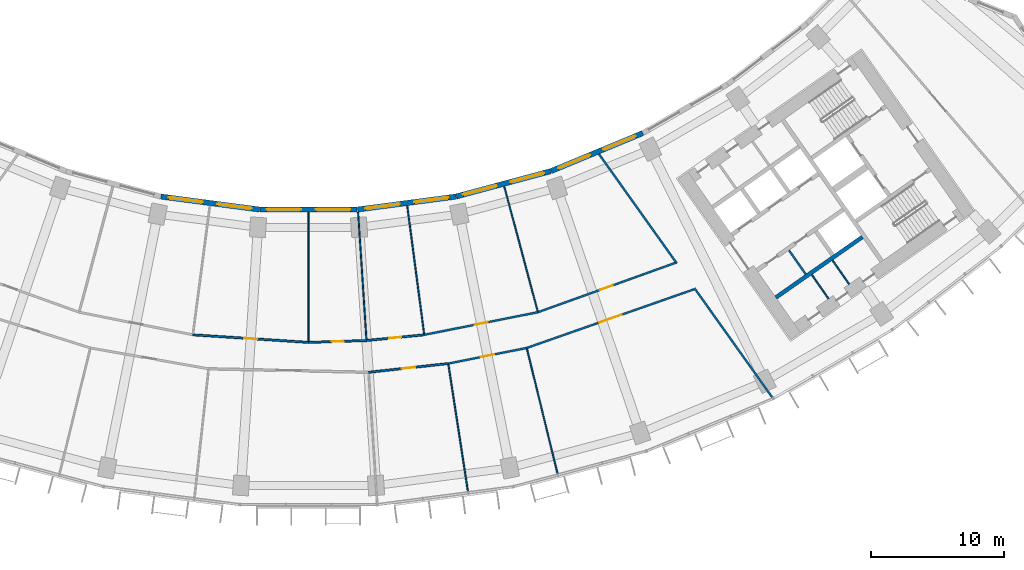
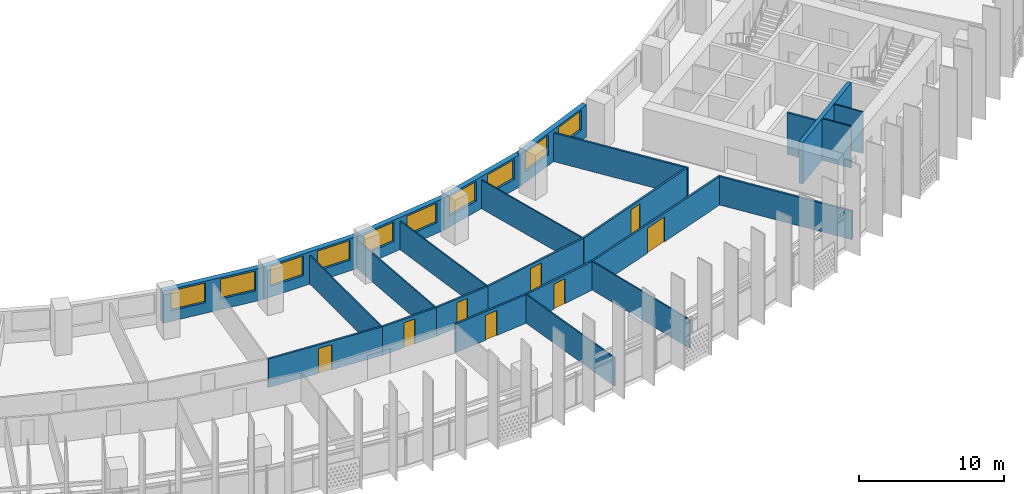
# One storey, part 6 of 30: 25 walls, 10 windows, 8 doors, 18 openings.
"""IFC4 building model written with IfcOpenShell, lengths in metres."""

from ifc_helpers import new_model, si_unit, direction, frame, frame_2d, origin, place, context, subcontext, project, spatial, rectangle, extrude, material, layer, layer_set, type_object, element, fill, save


model = new_model("IFC4")

# Units and contexts
model_context = context("Model", 3, precision=1e-05, world=origin(), true_north=direction((0.0, 1.0)))
body_context = subcontext(model_context, "Body", "Model", "MODEL_VIEW")
ifc_project = project(units=[si_unit("LENGTHUNIT", "METRE"), si_unit("AREAUNIT", "SQUARE_METRE"), si_unit("VOLUMEUNIT", "CUBIC_METRE"), si_unit("PLANEANGLEUNIT", "RADIAN"), si_unit("MASSUNIT", "GRAM", prefix="KILO")], contexts=[model_context])

# Site, building, storey
site_placement = place(None, origin())
site = spatial("IfcSite", under=ifc_project, at=site_placement, CompositionType="ELEMENT")
building_placement = place(site_placement, origin())
building = spatial("IfcBuilding", under=site, at=building_placement, Name="Qamariyya Broadcast Tower", CompositionType="ELEMENT")
storey_placement = place(building_placement, frame((0.0, 0.0, 117.699951171875)))
storey = spatial("IfcBuildingStorey", under=building, at=storey_placement, Name="L26", CompositionType="ELEMENT", Elevation=117.699951171875)

# Wall, opening, door
ifc_material_1 = material(Name="Gypsum board partition")
ifc_layer_1 = layer(ifc_material_1, 0.14990234375)
ifc_layer_set_1 = layer_set([ifc_layer_1], Name="Corridor partition 150 EI 60")
wall_type_1 = type_object("IfcWallType", Name="Corridor partition 150 EI 60", PredefinedType="PARTITIONING", material=ifc_layer_set_1)
wall_1_placement = place(storey_placement, frame((-8.71923828125, -66.228515625, 0.0), z_axis=(0.0, 0.0, 1.0), x_axis=(0.997858593599, -0.065408158359, 0.0)))
wall_1 = element("IfcWall", 1, at=wall_1_placement, inside=storey, type_object=wall_type_1, Name="Partition L26-020", PredefinedType="PARTITIONING", context=body_context, shape_type="SweptSolid", body=[
    extrude(rectangle(XDim=8.738037109375, YDim=0.14990234375, at=frame_2d((4.369140625, 0.0))), origin(), (0.0, 0.0, 1.0), 2.400146484375),
])
opening_1_placement = place(wall_1_placement, frame((3.868896484375, 0.0, 0.0)))
opening_1 = element("IfcOpeningElement", 2, at=opening_1_placement, cuts=wall_1, Name="Opening L26-D11", PredefinedType="OPENING", context=body_context, shape_type="SweptSolid", body=[
    extrude(rectangle(XDim=1.0, YDim=2.10009765625, at=frame_2d((0.5, 1.050048828125))), frame((0.0, 0.0849609375, 0.0), z_axis=(0.0, -1.0, 0.0), x_axis=(1.0, 0.0, 0.0)), (0.0, 0.0, 1.0), 0.169921875),
])
ifc_material_2 = material(Name="Timber fire door leaf", Category="wood")
door_type_1 = type_object("IfcDoorType", Name="Fire door 1000 x 2100 FD60", OperationType="NOTDEFINED", PredefinedType="DOOR", material=ifc_material_2)
door_1_placement = place(opening_1_placement, origin())
door_1 = element("IfcDoor", 3, at=door_1_placement, inside=storey, type_object=door_type_1, Name="Door L26-D11", OperationType="SINGLE_SWING_RIGHT", OverallHeight=2.10009765625, OverallWidth=1.0, PredefinedType="DOOR", context=body_context, shape_type="SweptSolid", body=[
    extrude(rectangle(XDim=1.0, YDim=2.10009765625, at=frame_2d((0.5, 1.050048828125))), frame((0.0, 0.02490234375, 0.0), z_axis=(0.0, -1.0, 0.0), x_axis=(1.0, 0.0, 0.0)), (0.0, 0.0, 1.0), 0.050048828125),
])
fill(opening_1, door_1)

wall_2_placement = place(storey_placement, frame((0.0, -66.800048828125, 0.0), z_axis=(0.0, 0.0, 1.0), x_axis=(0.99946426167, 0.03272903366, 0.0)))
wall_2 = element("IfcWall", 4, at=wall_2_placement, inside=storey, type_object=wall_type_1, Name="Partition L26-024", PredefinedType="PARTITIONING", context=body_context, shape_type="SweptSolid", body=[
    extrude(rectangle(XDim=4.371337890625, YDim=0.14990234375, at=frame_2d((2.185546875, 0.0))), origin(), (0.0, 0.0, 1.0), 2.400146484375),
])
opening_2_placement = place(wall_2_placement, frame((1.735595703125, 0.0, 0.0)))
opening_2 = element("IfcOpeningElement", 5, at=opening_2_placement, cuts=wall_2, Name="Opening L26-D12", PredefinedType="OPENING", context=body_context, shape_type="SweptSolid", body=[
    extrude(rectangle(XDim=0.89990234375, YDim=2.10009765625, at=frame_2d((0.449951171875, 1.050048828125))), frame((0.0, 0.0849609375, 0.0), z_axis=(0.0, -1.0, 0.0), x_axis=(1.0, 0.0, 0.0)), (0.0, 0.0, 1.0), 0.169921875),
])
door_type_2 = type_object("IfcDoorType", Name="Fire door 900 x 2100 FD60", OperationType="NOTDEFINED", PredefinedType="DOOR", material=ifc_material_2)
door_2_placement = place(opening_2_placement, origin())
door_2 = element("IfcDoor", 6, at=door_2_placement, inside=storey, type_object=door_type_2, Name="Door L26-D12", OperationType="SINGLE_SWING_RIGHT", OverallHeight=2.10009765625, OverallWidth=0.89990234375, PredefinedType="DOOR", context=body_context, shape_type="SweptSolid", body=[
    extrude(rectangle(XDim=0.89990234375, YDim=2.10009765625, at=frame_2d((0.449951171875, 1.050048828125))), frame((0.0, 0.02490234375, 0.0), z_axis=(0.0, -1.0, 0.0), x_axis=(1.0, 0.0, 0.0)), (0.0, 0.0, 1.0), 0.050048828125),
])
fill(opening_2, door_2)

wall_3_placement = place(storey_placement, frame((4.368896484375, -66.656982421875, 0.0), z_axis=(0.0, 0.0, 1.0), x_axis=(0.995184826457, 0.098016127192, 0.0)))
wall_3 = element("IfcWall", 7, at=wall_3_placement, inside=storey, type_object=wall_type_1, Name="Partition L26-027", PredefinedType="PARTITIONING", context=body_context, shape_type="SweptSolid", body=[
    extrude(rectangle(XDim=4.371337890625, YDim=0.14990234375, at=frame_2d((2.185546875, 0.0))), origin(), (0.0, 0.0, 1.0), 2.400146484375),
])
opening_3_placement = place(wall_3_placement, frame((1.735595703125, 0.0, 0.0)))
opening_3 = element("IfcOpeningElement", 8, at=opening_3_placement, cuts=wall_3, Name="Opening L26-D13", PredefinedType="OPENING", context=body_context, shape_type="SweptSolid", body=[
    extrude(rectangle(XDim=0.89990234375, YDim=2.10009765625, at=frame_2d((0.449951171875, 1.050048828125))), frame((0.0, 0.0849609375, 0.0), z_axis=(0.0, -1.0, 0.0), x_axis=(1.0, 0.0, 0.0)), (0.0, 0.0, 1.0), 0.169921875),
])
door_3_placement = place(opening_3_placement, origin())
door_3 = element("IfcDoor", 9, at=door_3_placement, inside=storey, type_object=door_type_2, Name="Door L26-D13", OperationType="SINGLE_SWING_RIGHT", OverallHeight=2.10009765625, OverallWidth=0.89990234375, PredefinedType="DOOR", context=body_context, shape_type="SweptSolid", body=[
    extrude(rectangle(XDim=0.89990234375, YDim=2.10009765625, at=frame_2d((0.449951171875, 1.050048828125))), frame((0.0, 0.02490234375, 0.0), z_axis=(0.0, -1.0, 0.0), x_axis=(1.0, 0.0, 0.0)), (0.0, 0.0, 1.0), 0.050048828125),
])
fill(opening_3, door_3)

wall_4_placement = place(storey_placement, frame((10.52880859375, -68.394287109375, 0.0), z_axis=(0.0, 0.0, 1.0), x_axis=(-0.994055567966, -0.108873907782, 0.0)))
wall_4 = element("IfcWall", 10, at=wall_4_placement, inside=storey, type_object=wall_type_1, Name="Partition L26-028", PredefinedType="PARTITIONING", context=body_context, shape_type="SweptSolid", body=[
    extrude(rectangle(XDim=6.038818359375, YDim=0.14990234375, at=frame_2d((3.01953125, 0.0))), origin(), (0.0, 0.0, 1.0), 2.400146484375),
])
opening_4_placement = place(wall_4_placement, frame((2.51953125, 0.0, 0.0)))
opening_4 = element("IfcOpeningElement", 11, at=opening_4_placement, cuts=wall_4, Name="Opening L26-D06", PredefinedType="OPENING", context=body_context, shape_type="SweptSolid", body=[
    extrude(rectangle(XDim=1.0, YDim=2.10009765625, at=frame_2d((0.5, 1.050048828125))), frame((0.0, 0.0849609375, 0.0), z_axis=(0.0, -1.0, 0.0), x_axis=(1.0, 0.0, 0.0)), (0.0, 0.0, 1.0), 0.169921875),
])
door_4_placement = place(opening_4_placement, origin())
door_4 = element("IfcDoor", 12, at=door_4_placement, inside=storey, type_object=door_type_1, Name="Door L26-D06", OperationType="SINGLE_SWING_RIGHT", OverallHeight=2.10009765625, OverallWidth=1.0, PredefinedType="DOOR", context=body_context, shape_type="SweptSolid", body=[
    extrude(rectangle(XDim=1.0, YDim=2.10009765625, at=frame_2d((0.5, 1.050048828125))), frame((0.0, 0.02490234375, 0.0), z_axis=(0.0, -1.0, 0.0), x_axis=(1.0, 0.0, 0.0)), (0.0, 0.0, 1.0), 0.050048828125),
])
fill(opening_4, door_4)

wall_5_placement = place(storey_placement, frame((8.71923828125, -66.228515625, 0.0), z_axis=(0.0, 0.0, 1.0), x_axis=(0.980786466832, 0.195084357342, 0.0)))
wall_5 = element("IfcWall", 13, at=wall_5_placement, inside=storey, type_object=wall_type_1, Name="Partition L26-031", PredefinedType="PARTITIONING", context=body_context, shape_type="SweptSolid", body=[
    extrude(rectangle(XDim=8.73779296875, YDim=0.14990234375, at=frame_2d((4.368896484375, 0.0))), origin(), (0.0, 0.0, 1.0), 2.400146484375),
])
opening_5_placement = place(wall_5_placement, frame((3.868896484375, 0.0, 0.0)))
opening_5 = element("IfcOpeningElement", 14, at=opening_5_placement, cuts=wall_5, Name="Opening L26-D14", PredefinedType="OPENING", context=body_context, shape_type="SweptSolid", body=[
    extrude(rectangle(XDim=1.0, YDim=2.10009765625, at=frame_2d((0.5, 1.050048828125))), frame((0.0, 0.0849609375, 0.0), z_axis=(0.0, -1.0, 0.0), x_axis=(1.0, 0.0, 0.0)), (0.0, 0.0, 1.0), 0.169921875),
])
door_5_placement = place(opening_5_placement, origin())
door_5 = element("IfcDoor", 15, at=door_5_placement, inside=storey, type_object=door_type_1, Name="Door L26-D14", OperationType="SINGLE_SWING_RIGHT", OverallHeight=2.10009765625, OverallWidth=1.0, PredefinedType="DOOR", context=body_context, shape_type="SweptSolid", body=[
    extrude(rectangle(XDim=1.0, YDim=2.10009765625, at=frame_2d((0.5, 1.050048828125))), frame((0.0, 0.02490234375, 0.0), z_axis=(0.0, -1.0, 0.0), x_axis=(1.0, 0.0, 0.0)), (0.0, 0.0, 1.0), 0.050048828125),
])
fill(opening_5, door_5)

wall_6_placement = place(storey_placement, frame((16.446044921875, -67.21728515625, 0.0), z_axis=(0.0, 0.0, 1.0), x_axis=(-0.980785582749, -0.195088802015, 0.0)))
wall_6 = element("IfcWall", 16, at=wall_6_placement, inside=storey, type_object=wall_type_1, Name="Partition L26-032", PredefinedType="PARTITIONING", context=body_context, shape_type="SweptSolid", body=[
    extrude(rectangle(XDim=6.033203125, YDim=0.14990234375, at=frame_2d((3.0166015625, 0.0))), origin(), (0.0, 0.0, 1.0), 2.400146484375),
])
opening_6_placement = place(wall_6_placement, frame((2.5166015625, 0.0, 0.0)))
opening_6 = element("IfcOpeningElement", 17, at=opening_6_placement, cuts=wall_6, Name="Opening L26-D07", PredefinedType="OPENING", context=body_context, shape_type="SweptSolid", body=[
    extrude(rectangle(XDim=1.0, YDim=2.10009765625, at=frame_2d((0.5, 1.050048828125))), frame((0.0, 0.0849609375, 0.0), z_axis=(0.0, -1.0, 0.0), x_axis=(1.0, 0.0, 0.0)), (0.0, 0.0, 1.0), 0.169921875),
])
door_6_placement = place(opening_6_placement, origin())
door_6 = element("IfcDoor", 18, at=door_6_placement, inside=storey, type_object=door_type_1, Name="Door L26-D07", OperationType="SINGLE_SWING_RIGHT", OverallHeight=2.10009765625, OverallWidth=1.0, PredefinedType="DOOR", context=body_context, shape_type="SweptSolid", body=[
    extrude(rectangle(XDim=1.0, YDim=2.10009765625, at=frame_2d((0.5, 1.050048828125))), frame((0.0, 0.02490234375, 0.0), z_axis=(0.0, -1.0, 0.0), x_axis=(1.0, 0.0, 0.0)), (0.0, 0.0, 1.0), 0.050048828125),
])
fill(opening_6, door_6)

wall_7_placement = place(storey_placement, frame((29.056640625, -62.796142578125, 0.0), z_axis=(0.0, 0.0, 1.0), x_axis=(-0.943684765834, -0.330845980378, 0.0)))
wall_7 = element("IfcWall", 19, at=wall_7_placement, inside=storey, type_object=wall_type_1, Name="Partition L26-035", PredefinedType="PARTITIONING", context=body_context, shape_type="SweptSolid", body=[
    extrude(rectangle(XDim=13.363037109375, YDim=0.14990234375, at=frame_2d((6.681640625, 0.0))), origin(), (0.0, 0.0, 1.0), 2.400146484375),
])
opening_7_placement = place(wall_7_placement, frame((5.78173828125, 0.0, 0.0)))
opening_7 = element("IfcOpeningElement", 20, at=opening_7_placement, cuts=wall_7, Name="Opening L26-D08", PredefinedType="OPENING", context=body_context, shape_type="SweptSolid", body=[
    extrude(rectangle(XDim=1.800048828125, YDim=2.10009765625, at=frame_2d((0.89990234375, 1.050048828125))), frame((0.0, 0.0849609375, 0.0), z_axis=(0.0, -1.0, 0.0), x_axis=(1.0, 0.0, 0.0)), (0.0, 0.0, 1.0), 0.169921875),
])
door_type_3 = type_object("IfcDoorType", Name="Double fire door 1800 x 2100 FD60", OperationType="NOTDEFINED", PredefinedType="DOOR", material=ifc_material_2)
door_7_placement = place(opening_7_placement, origin())
door_7 = element("IfcDoor", 21, at=door_7_placement, inside=storey, type_object=door_type_3, Name="Door L26-D08", OperationType="DOUBLE_DOOR_SINGLE_SWING", OverallHeight=2.10009765625, OverallWidth=1.800048828125, PredefinedType="DOOR", context=body_context, shape_type="SweptSolid", body=[
    extrude(rectangle(XDim=1.800048828125, YDim=2.10009765625, at=frame_2d((0.89990234375, 1.050048828125))), frame((0.0, 0.02490234375, 0.0), z_axis=(0.0, -1.0, 0.0), x_axis=(1.0, 0.0, 0.0)), (0.0, 0.0, 1.0), 0.050048828125),
])
fill(opening_7, door_7)

wall_8_placement = place(storey_placement, frame((17.2890625, -64.52392578125, 0.0), z_axis=(0.0, 0.0, 1.0), x_axis=(0.941150861554, 0.337986768669, 0.0)))
wall_8 = element("IfcWall", 22, at=wall_8_placement, inside=storey, type_object=wall_type_1, Name="Partition L26-036", PredefinedType="PARTITIONING", context=body_context, shape_type="SweptSolid", body=[
    extrude(rectangle(XDim=10.998291015625, YDim=0.14990234375, at=frame_2d((5.4990234375, 0.0))), origin(), (0.0, 0.0, 1.0), 2.400146484375),
])
opening_8_placement = place(wall_8_placement, frame((4.9990234375, 0.0, 0.0)))
opening_8 = element("IfcOpeningElement", 23, at=opening_8_placement, cuts=wall_8, Name="Opening L26-D15", PredefinedType="OPENING", context=body_context, shape_type="SweptSolid", body=[
    extrude(rectangle(XDim=1.0, YDim=2.10009765625, at=frame_2d((0.5, 1.050048828125))), frame((0.0, 0.0849609375, 0.0), z_axis=(0.0, -1.0, 0.0), x_axis=(1.0, 0.0, 0.0)), (0.0, 0.0, 1.0), 0.169921875),
])
door_8_placement = place(opening_8_placement, origin())
door_8 = element("IfcDoor", 24, at=door_8_placement, inside=storey, type_object=door_type_1, Name="Door L26-D15", OperationType="SINGLE_SWING_RIGHT", OverallHeight=2.10009765625, OverallWidth=1.0, PredefinedType="DOOR", context=body_context, shape_type="SweptSolid", body=[
    extrude(rectangle(XDim=1.0, YDim=2.10009765625, at=frame_2d((0.5, 1.050048828125))), frame((0.0, 0.02490234375, 0.0), z_axis=(0.0, -1.0, 0.0), x_axis=(1.0, 0.0, 0.0)), (0.0, 0.0, 1.0), 0.050048828125),
])
fill(opening_8, door_8)

# Walls
wall_9_placement = place(storey_placement, frame((21.8837890625, -52.59765625, 0.0), z_axis=(0.0, 0.0, 1.0), x_axis=(0.580016763963, -0.814604538118, 0.0)))
element("IfcWall", 25, at=wall_9_placement, inside=storey, type_object=wall_type_1, Name="Partition L26-038", PredefinedType="PARTITIONING", context=body_context, shape_type="SweptSolid", body=[
    extrude(rectangle(XDim=10.12109375, YDim=0.14990234375, at=frame_2d((5.060546875, 0.0))), origin(), (0.0, 0.0, 1.0), 2.400146484375),
])
wall_10_placement = place(storey_placement, frame((29.083984375, -62.710205078125, 0.0), z_axis=(0.0, 0.0, 1.0), x_axis=(0.580031092611, -0.814594335608, 0.0)))
element("IfcWall", 26, at=wall_10_placement, inside=storey, type_object=wall_type_1, Name="Partition L26-039", PredefinedType="PARTITIONING", context=body_context, shape_type="SweptSolid", body=[
    extrude(rectangle(XDim=10.126220703125, YDim=0.14990234375, at=frame_2d((5.06298828125, 0.0))), origin(), (0.0, 0.0, 1.0), 2.400146484375),
])
ifc_material_3 = material(Name="Gypsum board partition on steel studs", Category="steel")
ifc_layer_2 = layer(ifc_material_3, 0.14990234375)
ifc_layer_set_2 = layer_set([ifc_layer_2], Name="Gypsum board partition 150 mm")
wall_type_2 = type_object("IfcWallType", Name="Gypsum board partition 150 mm", PredefinedType="PARTITIONING", material=ifc_layer_set_2)
wall_11_placement = place(storey_placement, frame((36.2080078125, -59.85693359375, 0.0), z_axis=(0.0, 0.0, 1.0), x_axis=(0.573581496053, -0.819148501424, 0.0)))
element("IfcWall", 27, at=wall_11_placement, inside=storey, type_object=wall_type_2, Name="k-E-L26-SC285", PredefinedType="PARTITIONING", context=body_context, shape_type="SweptSolid", body=[
    extrude(rectangle(XDim=2.2001953125, YDim=0.14990234375, at=frame_2d((1.10009765625, 0.0))), origin(), (0.0, 0.0, 1.0), 3.5),
])
ifc_material_4 = material(Name="Concrete C60/75", Category="concrete")
ifc_layer_3 = layer(ifc_material_4, 0.300048828125)
ifc_layer_set_3 = layer_set([ifc_layer_3], Name="Lift shaft wall 300 mm Concrete C60/75")
wall_type_3 = type_object("IfcWallType", Name="Lift shaft wall 300 mm Concrete C60/75", PredefinedType="SOLIDWALL", material=ifc_layer_set_3)
wall_12_placement = place(storey_placement, frame((35.22119140625, -63.41650390625, 0.0), z_axis=(0.0, 0.0, 1.0), x_axis=(0.819166993208, 0.573555086491, 0.0)))
element("IfcWall", 28, at=wall_12_placement, inside=storey, type_object=wall_type_3, Name="k-E-L26-SB0", PredefinedType="SOLIDWALL", context=body_context, shape_type="SweptSolid", body=[
    extrude(rectangle(XDim=7.9501953125, YDim=0.300048828125, at=frame_2d((3.97509765625, 0.0))), origin(), (0.0, 0.0, 1.0), 3.5),
])
ifc_layer_4 = layer(ifc_material_1, 0.10009765625)
ifc_layer_set_4 = layer_set([ifc_layer_4], Name="Partition 100")
wall_type_4 = type_object("IfcWallType", Name="Partition 100", PredefinedType="PARTITIONING", material=ifc_layer_set_4)
wall_13_placement = place(storey_placement, frame((0.0, -56.978515625, 0.0), z_axis=(0.0, 0.0, 1.0), x_axis=(0.0, -1.0, 0.0)))
element("IfcWall", 29, at=wall_13_placement, inside=storey, type_object=wall_type_4, Name="Partition L26-025", PredefinedType="PARTITIONING", context=body_context, shape_type="SweptSolid", body=[
    extrude(rectangle(XDim=9.74658203125, YDim=0.10009765625, at=frame_2d((4.873291015625, 0.0))), origin(), (0.0, 0.0, 1.0), 2.400146484375),
])
wall_14_placement = place(storey_placement, frame((3.734619140625, -56.977783203125, 0.0), z_axis=(0.0, 0.0, 1.0), x_axis=(0.065392665599, -0.997859609006, 0.0)))
element("IfcWall", 30, at=wall_14_placement, inside=storey, type_object=wall_type_4, Name="Partition L26-026", PredefinedType="PARTITIONING", context=body_context, shape_type="SweptSolid", body=[
    extrude(rectangle(XDim=9.624755859375, YDim=0.10009765625, at=frame_2d((4.8125, 0.0))), origin(), (0.0, 0.0, 1.0), 2.400146484375),
])
wall_15_placement = place(storey_placement, frame((7.437255859375, -56.4912109375, 0.0), z_axis=(0.0, 0.0, 1.0), x_axis=(0.13053421433, -0.99144380521, 0.0)))
element("IfcWall", 31, at=wall_15_placement, inside=storey, type_object=wall_type_4, Name="Partition L26-030", PredefinedType="PARTITIONING", context=body_context, shape_type="SweptSolid", body=[
    extrude(rectangle(XDim=9.746337890625, YDim=0.10009765625, at=frame_2d((4.873046875, 0.0))), origin(), (0.0, 0.0, 1.0), 2.400146484375),
])
wall_16_placement = place(storey_placement, frame((12.01220703125, -78.030029296875, 0.0), z_axis=(0.0, 0.0, 1.0), x_axis=(-0.152150105958, 0.988357397532, 0.0)))
element("IfcWall", 32, at=wall_16_placement, inside=storey, type_object=wall_type_4, Name="Partition L26-033", PredefinedType="PARTITIONING", context=body_context, shape_type="SweptSolid", body=[
    extrude(rectangle(XDim=9.674072265625, YDim=0.10009765625, at=frame_2d((4.8369140625, 0.0))), origin(), (0.0, 0.0, 1.0), 2.400146484375),
])
wall_17_placement = place(storey_placement, frame((14.7470703125, -55.037109375, 0.0), z_axis=(0.0, 0.0, 1.0), x_axis=(0.258833329344, -0.965921998725, 0.0)))
element("IfcWall", 33, at=wall_17_placement, inside=storey, type_object=wall_type_4, Name="Partition L26-034", PredefinedType="PARTITIONING", context=body_context, shape_type="SweptSolid", body=[
    extrude(rectangle(XDim=9.746337890625, YDim=0.10009765625, at=frame_2d((4.873046875, 0.0))), origin(), (0.0, 0.0, 1.0), 2.400146484375),
])
wall_18_placement = place(storey_placement, frame((18.762939453125, -76.68701171875, 0.0), z_axis=(0.0, 0.0, 1.0), x_axis=(-0.237657357205, 0.971349051869, 0.0)))
element("IfcWall", 34, at=wall_18_placement, inside=storey, type_object=wall_type_4, Name="Partition L26-037", PredefinedType="PARTITIONING", context=body_context, shape_type="SweptSolid", body=[
    extrude(rectangle(XDim=9.673828125, YDim=0.10009765625, at=frame_2d((4.8369140625, 0.0))), origin(), (0.0, 0.0, 1.0), 2.400146484375),
])
ifc_material_5 = material(Name="Fire-rated gypsum shaft liner on steel studs", Category="steel")
ifc_layer_5 = layer(ifc_material_5, 0.10009765625)
ifc_layer_set_5 = layer_set([ifc_layer_5], Name="Riser wall 100 mm")
wall_type_5 = type_object("IfcWallType", Name="Riser wall 100 mm", PredefinedType="PLUMBINGWALL", material=ifc_layer_set_5)
wall_19_placement = place(storey_placement, frame((37.9287109375, -61.7041015625, 0.0), z_axis=(0.0, 0.0, 1.0), x_axis=(0.573559170999, -0.819164133348, 0.0)))
element("IfcWall", 35, at=wall_19_placement, inside=storey, type_object=wall_type_5, Name="k-E-L26-SP320", PredefinedType="PLUMBINGWALL", context=body_context, shape_type="SweptSolid", body=[
    extrude(rectangle(XDim=2.19970703125, YDim=0.10009765625, at=frame_2d((1.099853515625, 0.0))), origin(), (0.0, 0.0, 1.0), 3.5),
])
wall_20_placement = place(storey_placement, frame((39.485107421875, -60.6142578125, 0.0), z_axis=(0.0, 0.0, 1.0), x_axis=(0.573507030513, -0.819200638399, 0.0)))
element("IfcWall", 36, at=wall_20_placement, inside=storey, type_object=wall_type_5, Name="k-E-L26-SP510", PredefinedType="PLUMBINGWALL", context=body_context, shape_type="SweptSolid", body=[
    extrude(rectangle(XDim=2.199951171875, YDim=0.10009765625, at=frame_2d((1.10009765625, 0.0))), origin(), (0.0, 0.0, 1.0), 3.5),
])

# Wall, openings, windows
ifc_material_6 = material(Name="Terracotta", Category="masonry")
ifc_layer_6 = layer(ifc_material_6, 0.39990234375)
ifc_layer_set_6 = layer_set([ifc_layer_6], Name="Terracotta clad wall 400")
wall_type_6 = type_object("IfcWallType", Name="Terracotta clad wall 400", PredefinedType="SOLIDWALL", material=ifc_layer_set_6)
wall_21_placement = place(storey_placement, frame((11.12548828125, -55.803955078125, 0.0), z_axis=(0.0, 0.0, 1.0), x_axis=(-0.991444533306, -0.130528684121, 0.0)))
wall_21 = element("IfcWall", 37, at=wall_21_placement, inside=storey, type_object=wall_type_6, Name="e-wl-L26-in100", PredefinedType="SOLIDWALL", context=body_context, shape_type="SweptSolid", body=[
    extrude(rectangle(XDim=7.492919921875, YDim=0.39990234375, at=frame_2d((3.74658203125, 0.0))), origin(), (0.0, 0.0, 1.0), 2.699951171875),
])
opening_9_placement = place(wall_21_placement, frame((4.300537109375, 0.0, 0.89990234375)))
opening_9 = element("IfcOpeningElement", 38, at=opening_9_placement, cuts=wall_21, Name="Opening W1", PredefinedType="OPENING", context=body_context, shape_type="SweptSolid", body=[
    extrude(rectangle(XDim=2.60009765625, YDim=1.64990234375, at=frame_2d((1.300048828125, 0.824951171875))), frame((0.0, 0.2099609375, 0.0), z_axis=(0.0, -1.0, 0.0), x_axis=(1.0, 0.0, 0.0)), (0.0, 0.0, 1.0), 0.419921875),
])
opening_10_placement = place(wall_21_placement, frame((0.59228515625, 0.0, 0.89990234375)))
opening_10 = element("IfcOpeningElement", 39, at=opening_10_placement, cuts=wall_21, Name="Opening W1", PredefinedType="OPENING", context=body_context, shape_type="SweptSolid", body=[
    extrude(rectangle(XDim=2.60009765625, YDim=1.64990234375, at=frame_2d((1.300048828125, 0.824951171875))), frame((0.0, 0.2099609375, 0.0), z_axis=(0.0, -1.0, 0.0), x_axis=(1.0, 0.0, 0.0)), (0.0, 0.0, 1.0), 0.419921875),
])
ifc_material_7 = material(Name="Clear low-e double glazed unit in aluminium frame", Category="aluminium")
window_type = type_object("IfcWindowType", Name="Ribbon window 2600 x 1650", PartitioningType="SINGLE_PANEL", PredefinedType="WINDOW", material=ifc_material_7)
window_1_placement = place(opening_9_placement, origin())
window_1 = element("IfcWindow", 40, at=window_1_placement, inside=storey, type_object=window_type, Name="e-w-L26-in10-0", OverallHeight=1.64990234375, OverallWidth=2.60009765625, PartitioningType="SINGLE_PANEL", PredefinedType="WINDOW", context=body_context, shape_type="SweptSolid", body=[
    extrude(rectangle(XDim=2.60009765625, YDim=1.64990234375, at=frame_2d((1.300048828125, 0.824951171875))), frame((0.0, 0.030029296875, 0.0), z_axis=(0.0, -1.0, 0.0), x_axis=(1.0, 0.0, 0.0)), (0.0, 0.0, 1.0), 0.06005859375),
])
fill(opening_9, window_1)
window_2_placement = place(opening_10_placement, origin())
window_2 = element("IfcWindow", 41, at=window_2_placement, inside=storey, type_object=window_type, Name="e-w-L26-in10-1", OverallHeight=1.64990234375, OverallWidth=2.60009765625, PartitioningType="SINGLE_PANEL", PredefinedType="WINDOW", context=body_context, shape_type="SweptSolid", body=[
    extrude(rectangle(XDim=2.60009765625, YDim=1.64990234375, at=frame_2d((1.300048828125, 0.824951171875))), frame((0.0, 0.030029296875, 0.0), z_axis=(0.0, -1.0, 0.0), x_axis=(1.0, 0.0, 0.0)), (0.0, 0.0, 1.0), 0.06005859375),
])
fill(opening_10, window_2)

wall_22_placement = place(storey_placement, frame((18.240966796875, -53.893798828125, 0.0), z_axis=(0.0, 0.0, 1.0), x_axis=(-0.965924597867, -0.258823629594, 0.0)))
wall_22 = element("IfcWall", 42, at=wall_22_placement, inside=storey, type_object=wall_type_6, Name="e-wl-L26-in110", PredefinedType="SOLIDWALL", context=body_context, shape_type="SweptSolid", body=[
    extrude(rectangle(XDim=7.341552734375, YDim=0.39990234375, at=frame_2d((3.6708984375, 0.0))), origin(), (0.0, 0.0, 1.0), 2.699951171875),
])
opening_11_placement = place(wall_22_placement, frame((4.224853515625, 0.0, 0.89990234375)))
opening_11 = element("IfcOpeningElement", 43, at=opening_11_placement, cuts=wall_22, Name="Opening W1", PredefinedType="OPENING", context=body_context, shape_type="SweptSolid", body=[
    extrude(rectangle(XDim=2.60009765625, YDim=1.64990234375, at=frame_2d((1.300048828125, 0.824951171875))), frame((0.0, 0.2099609375, 0.0), z_axis=(0.0, -1.0, 0.0), x_axis=(1.0, 0.0, 0.0)), (0.0, 0.0, 1.0), 0.419921875),
])
opening_12_placement = place(wall_22_placement, frame((0.5166015625, 0.0, 0.89990234375)))
opening_12 = element("IfcOpeningElement", 44, at=opening_12_placement, cuts=wall_22, Name="Opening W1", PredefinedType="OPENING", context=body_context, shape_type="SweptSolid", body=[
    extrude(rectangle(XDim=2.60009765625, YDim=1.64990234375, at=frame_2d((1.300048828125, 0.824951171875))), frame((0.0, 0.2099609375, 0.0), z_axis=(0.0, -1.0, 0.0), x_axis=(1.0, 0.0, 0.0)), (0.0, 0.0, 1.0), 0.419921875),
])
window_3_placement = place(opening_11_placement, origin())
window_3 = element("IfcWindow", 45, at=window_3_placement, inside=storey, type_object=window_type, Name="e-w-L26-in11-0", OverallHeight=1.64990234375, OverallWidth=2.60009765625, PartitioningType="SINGLE_PANEL", PredefinedType="WINDOW", context=body_context, shape_type="SweptSolid", body=[
    extrude(rectangle(XDim=2.60009765625, YDim=1.64990234375, at=frame_2d((1.300048828125, 0.824951171875))), frame((0.0, 0.030029296875, 0.0), z_axis=(0.0, -1.0, 0.0), x_axis=(1.0, 0.0, 0.0)), (0.0, 0.0, 1.0), 0.06005859375),
])
fill(opening_11, window_3)
window_4_placement = place(opening_12_placement, origin())
window_4 = element("IfcWindow", 46, at=window_4_placement, inside=storey, type_object=window_type, Name="e-w-L26-in11-1", OverallHeight=1.64990234375, OverallWidth=2.60009765625, PartitioningType="SINGLE_PANEL", PredefinedType="WINDOW", context=body_context, shape_type="SweptSolid", body=[
    extrude(rectangle(XDim=2.60009765625, YDim=1.64990234375, at=frame_2d((1.300048828125, 0.824951171875))), frame((0.0, 0.030029296875, 0.0), z_axis=(0.0, -1.0, 0.0), x_axis=(1.0, 0.0, 0.0)), (0.0, 0.0, 1.0), 0.06005859375),
])
fill(opening_12, window_4)

wall_23_placement = place(storey_placement, frame((25.189453125, -51.02294921875, 0.0), z_axis=(0.0, 0.0, 1.0), x_axis=(-0.923879826967, -0.382682721486, 0.0)))
wall_23 = element("IfcWall", 47, at=wall_23_placement, inside=storey, type_object=wall_type_6, Name="e-wl-L26-in120", PredefinedType="SOLIDWALL", context=body_context, shape_type="SweptSolid", body=[
    extrude(rectangle(XDim=7.492919921875, YDim=0.39990234375, at=frame_2d((3.74658203125, 0.0))), origin(), (0.0, 0.0, 1.0), 2.699951171875),
])
opening_13_placement = place(wall_23_placement, frame((4.300537109375, 0.0, 0.89990234375)))
opening_13 = element("IfcOpeningElement", 48, at=opening_13_placement, cuts=wall_23, Name="Opening W1", PredefinedType="OPENING", context=body_context, shape_type="SweptSolid", body=[
    extrude(rectangle(XDim=2.60009765625, YDim=1.64990234375, at=frame_2d((1.300048828125, 0.824951171875))), frame((0.0, 0.2099609375, 0.0), z_axis=(0.0, -1.0, 0.0), x_axis=(1.0, 0.0, 0.0)), (0.0, 0.0, 1.0), 0.419921875),
])
opening_14_placement = place(wall_23_placement, frame((0.59228515625, 0.0, 0.89990234375)))
opening_14 = element("IfcOpeningElement", 49, at=opening_14_placement, cuts=wall_23, Name="Opening W1", PredefinedType="OPENING", context=body_context, shape_type="SweptSolid", body=[
    extrude(rectangle(XDim=2.60009765625, YDim=1.64990234375, at=frame_2d((1.300048828125, 0.824951171875))), frame((0.0, 0.2099609375, 0.0), z_axis=(0.0, -1.0, 0.0), x_axis=(1.0, 0.0, 0.0)), (0.0, 0.0, 1.0), 0.419921875),
])
window_5_placement = place(opening_13_placement, origin())
window_5 = element("IfcWindow", 50, at=window_5_placement, inside=storey, type_object=window_type, Name="e-w-L26-in12-0", OverallHeight=1.64990234375, OverallWidth=2.60009765625, PartitioningType="SINGLE_PANEL", PredefinedType="WINDOW", context=body_context, shape_type="SweptSolid", body=[
    extrude(rectangle(XDim=2.60009765625, YDim=1.64990234375, at=frame_2d((1.300048828125, 0.824951171875))), frame((0.0, 0.030029296875, 0.0), z_axis=(0.0, -1.0, 0.0), x_axis=(1.0, 0.0, 0.0)), (0.0, 0.0, 1.0), 0.06005859375),
])
fill(opening_13, window_5)
window_6_placement = place(opening_14_placement, origin())
window_6 = element("IfcWindow", 51, at=window_6_placement, inside=storey, type_object=window_type, Name="e-w-L26-in12-1", OverallHeight=1.64990234375, OverallWidth=2.60009765625, PartitioningType="SINGLE_PANEL", PredefinedType="WINDOW", context=body_context, shape_type="SweptSolid", body=[
    extrude(rectangle(XDim=2.60009765625, YDim=1.64990234375, at=frame_2d((1.300048828125, 0.824951171875))), frame((0.0, 0.030029296875, 0.0), z_axis=(0.0, -1.0, 0.0), x_axis=(1.0, 0.0, 0.0)), (0.0, 0.0, 1.0), 0.06005859375),
])
fill(opening_14, window_6)

wall_24_placement = place(storey_placement, frame((-3.69677734375, -56.781982421875, 0.0), z_axis=(0.0, 0.0, 1.0), x_axis=(-0.991444533306, 0.130528684121, 0.0)))
wall_24 = element("IfcWall", 52, at=wall_24_placement, inside=storey, type_object=wall_type_6, Name="e-wl-L26-in80", PredefinedType="SOLIDWALL", context=body_context, shape_type="SweptSolid", body=[
    extrude(rectangle(XDim=7.492919921875, YDim=0.39990234375, at=frame_2d((3.74658203125, 0.0))), origin(), (0.0, 0.0, 1.0), 2.699951171875),
])
opening_15_placement = place(wall_24_placement, frame((4.300537109375, 0.0, 0.89990234375)))
opening_15 = element("IfcOpeningElement", 53, at=opening_15_placement, cuts=wall_24, Name="Opening W1", PredefinedType="OPENING", context=body_context, shape_type="SweptSolid", body=[
    extrude(rectangle(XDim=2.60009765625, YDim=1.64990234375, at=frame_2d((1.300048828125, 0.824951171875))), frame((0.0, 0.2099609375, 0.0), z_axis=(0.0, -1.0, 0.0), x_axis=(1.0, 0.0, 0.0)), (0.0, 0.0, 1.0), 0.419921875),
])
opening_16_placement = place(wall_24_placement, frame((0.59228515625, 0.0, 0.89990234375)))
opening_16 = element("IfcOpeningElement", 54, at=opening_16_placement, cuts=wall_24, Name="Opening W1", PredefinedType="OPENING", context=body_context, shape_type="SweptSolid", body=[
    extrude(rectangle(XDim=2.60009765625, YDim=1.64990234375, at=frame_2d((1.300048828125, 0.824951171875))), frame((0.0, 0.2099609375, 0.0), z_axis=(0.0, -1.0, 0.0), x_axis=(1.0, 0.0, 0.0)), (0.0, 0.0, 1.0), 0.419921875),
])
window_7_placement = place(opening_15_placement, origin())
window_7 = element("IfcWindow", 55, at=window_7_placement, inside=storey, type_object=window_type, Name="e-w-L26-in08-0", OverallHeight=1.64990234375, OverallWidth=2.60009765625, PartitioningType="SINGLE_PANEL", PredefinedType="WINDOW", context=body_context, shape_type="SweptSolid", body=[
    extrude(rectangle(XDim=2.60009765625, YDim=1.64990234375, at=frame_2d((1.300048828125, 0.824951171875))), frame((0.0, 0.030029296875, 0.0), z_axis=(0.0, -1.0, 0.0), x_axis=(1.0, 0.0, 0.0)), (0.0, 0.0, 1.0), 0.06005859375),
])
fill(opening_15, window_7)
window_8_placement = place(opening_16_placement, origin())
window_8 = element("IfcWindow", 56, at=window_8_placement, inside=storey, type_object=window_type, Name="e-w-L26-in08-1", OverallHeight=1.64990234375, OverallWidth=2.60009765625, PartitioningType="SINGLE_PANEL", PredefinedType="WINDOW", context=body_context, shape_type="SweptSolid", body=[
    extrude(rectangle(XDim=2.60009765625, YDim=1.64990234375, at=frame_2d((1.300048828125, 0.824951171875))), frame((0.0, 0.030029296875, 0.0), z_axis=(0.0, -1.0, 0.0), x_axis=(1.0, 0.0, 0.0)), (0.0, 0.0, 1.0), 0.06005859375),
])
fill(opening_16, window_8)

wall_25_placement = place(storey_placement, frame((3.670654296875, -56.778564453125, 0.0), z_axis=(0.0, 0.0, 1.0), x_axis=(-1.0, 0.0, 0.0)))
wall_25 = element("IfcWall", 57, at=wall_25_placement, inside=storey, type_object=wall_type_6, Name="e-wl-L26-in90", PredefinedType="SOLIDWALL", context=body_context, shape_type="SweptSolid", body=[
    extrude(rectangle(XDim=7.34130859375, YDim=0.39990234375, at=frame_2d((3.670654296875, 0.0))), origin(), (0.0, 0.0, 1.0), 2.699951171875),
])
opening_17_placement = place(wall_25_placement, frame((4.224853515625, 0.0, 0.89990234375)))
opening_17 = element("IfcOpeningElement", 58, at=opening_17_placement, cuts=wall_25, Name="Opening W1", PredefinedType="OPENING", context=body_context, shape_type="SweptSolid", body=[
    extrude(rectangle(XDim=2.60009765625, YDim=1.64990234375, at=frame_2d((1.300048828125, 0.824951171875))), frame((0.0, 0.2099609375, 0.0), z_axis=(0.0, -1.0, 0.0), x_axis=(1.0, 0.0, 0.0)), (0.0, 0.0, 1.0), 0.419921875),
])
opening_18_placement = place(wall_25_placement, frame((0.5166015625, 0.0, 0.89990234375)))
opening_18 = element("IfcOpeningElement", 59, at=opening_18_placement, cuts=wall_25, Name="Opening W1", PredefinedType="OPENING", context=body_context, shape_type="SweptSolid", body=[
    extrude(rectangle(XDim=2.60009765625, YDim=1.64990234375, at=frame_2d((1.300048828125, 0.824951171875))), frame((0.0, 0.2099609375, 0.0), z_axis=(0.0, -1.0, 0.0), x_axis=(1.0, 0.0, 0.0)), (0.0, 0.0, 1.0), 0.419921875),
])
window_9_placement = place(opening_17_placement, origin())
window_9 = element("IfcWindow", 60, at=window_9_placement, inside=storey, type_object=window_type, Name="e-w-L26-in09-0", OverallHeight=1.64990234375, OverallWidth=2.60009765625, PartitioningType="SINGLE_PANEL", PredefinedType="WINDOW", context=body_context, shape_type="SweptSolid", body=[
    extrude(rectangle(XDim=2.60009765625, YDim=1.64990234375, at=frame_2d((1.300048828125, 0.824951171875))), frame((0.0, 0.030029296875, 0.0), z_axis=(0.0, -1.0, 0.0), x_axis=(1.0, 0.0, 0.0)), (0.0, 0.0, 1.0), 0.06005859375),
])
fill(opening_17, window_9)
window_10_placement = place(opening_18_placement, origin())
window_10 = element("IfcWindow", 61, at=window_10_placement, inside=storey, type_object=window_type, Name="e-w-L26-in09-1", OverallHeight=1.64990234375, OverallWidth=2.60009765625, PartitioningType="SINGLE_PANEL", PredefinedType="WINDOW", context=body_context, shape_type="SweptSolid", body=[
    extrude(rectangle(XDim=2.60009765625, YDim=1.64990234375, at=frame_2d((1.300048828125, 0.824951171875))), frame((0.0, 0.030029296875, 0.0), z_axis=(0.0, -1.0, 0.0), x_axis=(1.0, 0.0, 0.0)), (0.0, 0.0, 1.0), 0.06005859375),
])
fill(opening_18, window_10)

save(model, "model.ifc")
